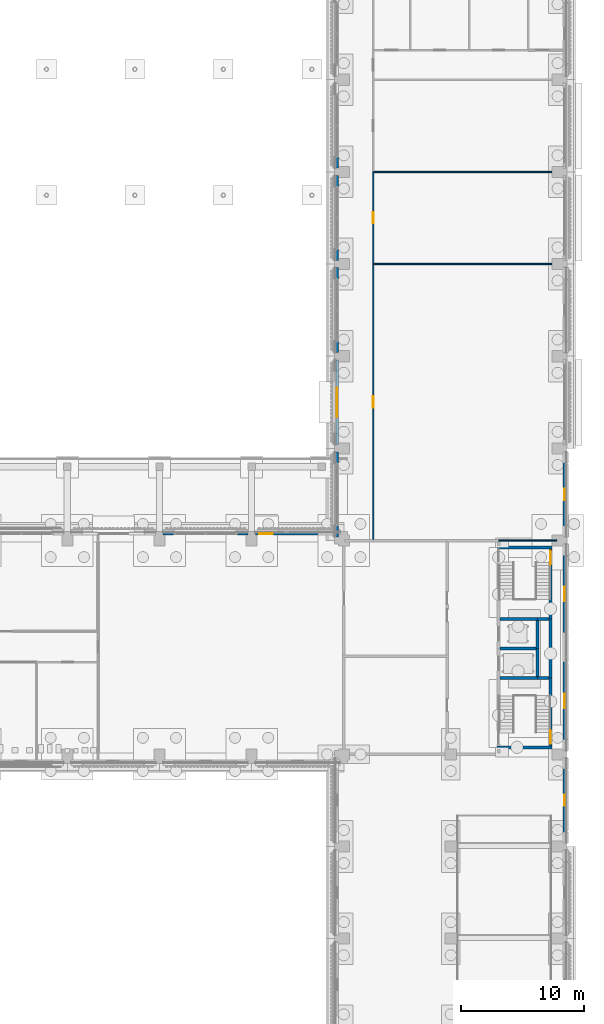
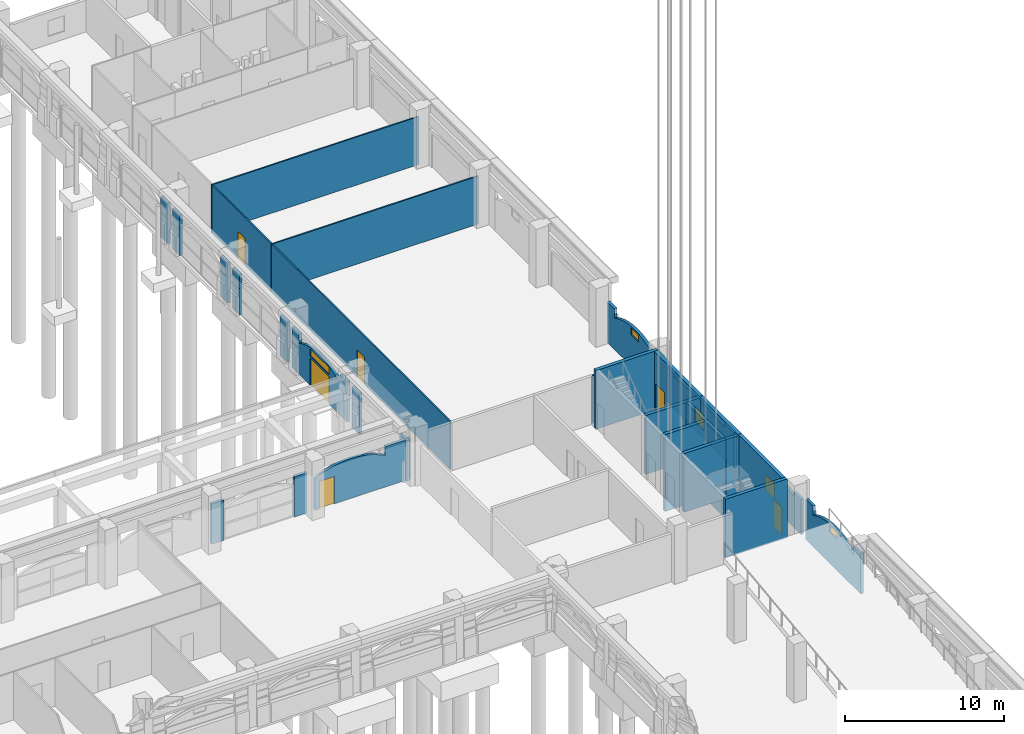
# One storey, part 43 of 99: 32 walls, 6 doors, 5 windows, 11 openings.
"""IFC4 building model written with IfcOpenShell, lengths in metres."""

from ifc_helpers import new_model, si_unit, direction, frame, frame_2d, origin, place, context, subcontext, project, spatial, polyline, rectangle, outline, extrude, material, layer, layer_set, type_object, element, fill, save


model = new_model("IFC4")

# Units and contexts
model_context = context("Model", 3, precision=1e-05, world=origin(), true_north=direction((0.0, 1.0)))
body_context = subcontext(model_context, "Body", "Model", "MODEL_VIEW")
ifc_project = project(units=[si_unit("LENGTHUNIT", "METRE"), si_unit("AREAUNIT", "SQUARE_METRE"), si_unit("VOLUMEUNIT", "CUBIC_METRE"), si_unit("PLANEANGLEUNIT", "RADIAN"), si_unit("MASSUNIT", "GRAM", prefix="KILO")], contexts=[model_context])

# Site, building, storey
site_placement = place(None, origin())
site = spatial("IfcSite", under=ifc_project, at=site_placement, CompositionType="ELEMENT")
building_placement = place(site_placement, origin())
building = spatial("IfcBuilding", under=site, at=building_placement, Name="Cour d'Honneur Mobility Palace", CompositionType="ELEMENT")
storey_placement = place(building_placement, origin())
storey = spatial("IfcBuildingStorey", under=building, at=storey_placement, Name="L00", CompositionType="ELEMENT", Elevation=0.0)

# Wall, opening, window
ifc_material_1 = material(Name="Concrete C40", Category="concrete")
ifc_layer_1 = layer(ifc_material_1, 0.199951171875)
ifc_layer_set_1 = layer_set([ifc_layer_1], Name="Concrete C40")
wall_type_1 = type_object("IfcWallType", Name="Arch infill panel", PredefinedType="SOLIDWALL", material=ifc_layer_set_1)
wall_1_placement = place(storey_placement, frame((162.85009765625, 37.800048828125, 0.0), z_axis=(0.0, 0.0, 1.0), x_axis=(0.0, 1.0, 0.0)))
wall_1 = element("IfcWall", 1, at=wall_1_placement, inside=storey, type_object=wall_type_1, Name="Arch infill panel IP-39", PredefinedType="SOLIDWALL", context=body_context, shape_type="SweptSolid", body=[
    extrude(outline(polyline([(0.0, 0.0), (6.89990234375, 0.0), (6.89990234375, 3.10009765625), (6.001953125, 3.10009765625), (6.0, 2.39990234375), (5.68115234375, 2.560302734375), (5.362548828125, 2.69482421875), (5.043701171875, 2.805908203125), (4.72509765625, 2.895263671875), (4.40625, 2.96337890625), (4.08740234375, 3.01171875), (3.768798828125, 3.04052734375), (3.449951171875, 3.050048828125), (3.13134765625, 3.04052734375), (2.8125, 3.01171875), (2.49365234375, 2.96337890625), (2.175048828125, 2.895263671875), (1.856201171875, 2.805908203125), (1.53759765625, 2.69482421875), (1.21875, 2.560302734375), (0.89990234375, 2.39990234375), (0.89794921875, 3.10009765625), (0.0, 3.10009765625), (0.0, 0.0)])), frame((0.0, 0.10009765625, 0.0), z_axis=(0.0, -1.0, 0.0), x_axis=(1.0, 0.0, 0.0)), (0.0, 0.0, 1.0), 0.199951171875),
])
opening_1_placement = place(wall_1_placement, frame((3.0, 0.0, 2.39990234375)))
opening_1 = element("IfcOpeningElement", 2, at=opening_1_placement, cuts=wall_1, Name="Opening WH-31", PredefinedType="OPENING", context=body_context, shape_type="SweptSolid", body=[
    extrude(rectangle(XDim=0.89990234375, YDim=0.531005859375, at=frame_2d((0.449951171875, 0.265625))), frame((0.0, 0.10986328125, 0.0), z_axis=(0.0, -1.0, 0.0), x_axis=(1.0, 0.0, 0.0)), (0.0, 0.0, 1.0), 0.219970703125),
])
ifc_material_2 = material(Name="Aluminium frame and glass", Category="aluminium")
window_type_1 = type_object("IfcWindowType", Name="High-level window 531", PartitioningType="SINGLE_PANEL", PredefinedType="WINDOW", material=ifc_material_2)
window_1_placement = place(opening_1_placement, origin())
window_1 = element("IfcWindow", 3, at=window_1_placement, inside=storey, type_object=window_type_1, Name="High-level window 531 WH-31", OverallHeight=0.531005859375, OverallWidth=0.89990234375, PartitioningType="SINGLE_PANEL", PredefinedType="WINDOW", context=body_context, shape_type="SweptSolid", body=[
    extrude(rectangle(XDim=0.89990234375, YDim=0.531005859375, at=frame_2d((0.449951171875, 0.265625))), frame((0.0, 0.030029296875, 0.0), z_axis=(0.0, -1.0, 0.0), x_axis=(1.0, 0.0, 0.0)), (0.0, 0.0, 1.0), 0.06005859375),
])
fill(opening_1, window_1)

wall_2_placement = place(storey_placement, frame((162.85009765625, 45.300048828125, 0.0), z_axis=(0.0, 0.0, 1.0), x_axis=(0.0, 1.0, 0.0)))
wall_2 = element("IfcWall", 4, at=wall_2_placement, inside=storey, type_object=wall_type_1, Name="Arch infill panel IP-40", PredefinedType="SOLIDWALL", context=body_context, shape_type="SweptSolid", body=[
    extrude(outline(polyline([(0.0, 0.0), (8.39990234375, 0.0), (8.39990234375, 2.699951171875), (7.201904296875, 2.699951171875), (7.199951171875, 2.39990234375), (6.80615234375, 2.458984375), (6.41259765625, 2.509765625), (6.018798828125, 2.552734375), (5.625, 2.587890625), (5.231201171875, 2.614990234375), (4.83740234375, 2.634521484375), (4.44384765625, 2.64599609375), (4.050048828125, 2.64990234375), (3.65625, 2.64599609375), (3.262451171875, 2.634521484375), (2.86865234375, 2.614990234375), (2.47509765625, 2.587890625), (2.081298828125, 2.552734375), (1.6875, 2.509765625), (1.293701171875, 2.458984375), (0.89990234375, 2.39990234375), (0.89794921875, 2.699951171875), (0.0, 2.699951171875), (0.0, 0.0)])), frame((0.0, 0.10009765625, 0.0), z_axis=(0.0, -1.0, 0.0), x_axis=(1.0, 0.0, 0.0)), (0.0, 0.0, 1.0), 0.199951171875),
])
opening_2_placement = place(wall_2_placement, frame((3.449951171875, 0.0, 0.60009765625)))
opening_2 = element("IfcOpeningElement", 5, at=opening_2_placement, cuts=wall_2, Name="Opening WP-2", PredefinedType="OPENING", context=body_context, shape_type="SweptSolid", body=[
    extrude(rectangle(XDim=1.199951171875, YDim=1.199951171875, at=frame_2d((0.60009765625, 0.60009765625))), frame((0.0, 0.10986328125, 0.0), z_axis=(0.0, -1.0, 0.0), x_axis=(1.0, 0.0, 0.0)), (0.0, 0.0, 1.0), 0.219970703125),
])
ifc_material_3 = material(Name="Aluminium frame and glass", Category="aluminium")
window_type_2 = type_object("IfcWindowType", Name="Pavilion window W-PV", PartitioningType="SINGLE_PANEL", PredefinedType="WINDOW", material=ifc_material_3)
window_2_placement = place(opening_2_placement, origin())
window_2 = element("IfcWindow", 6, at=window_2_placement, inside=storey, type_object=window_type_2, Name="Pavilion window W-PV WP-2", OverallHeight=1.199951171875, OverallWidth=1.199951171875, PartitioningType="SINGLE_PANEL", PredefinedType="WINDOW", context=body_context, shape_type="SweptSolid", body=[
    extrude(rectangle(XDim=1.199951171875, YDim=1.199951171875, at=frame_2d((0.60009765625, 0.60009765625))), frame((0.0, 0.030029296875, 0.0), z_axis=(0.0, -1.0, 0.0), x_axis=(1.0, 0.0, 0.0)), (0.0, 0.0, 1.0), 0.06005859375),
])
fill(opening_2, window_2)

wall_3_placement = place(storey_placement, frame((162.85009765625, 53.699951171875, 0.0), z_axis=(0.0, 0.0, 1.0), x_axis=(0.0, 1.0, 0.0)))
wall_3 = element("IfcWall", 7, at=wall_3_placement, inside=storey, type_object=wall_type_1, Name="Arch infill panel IP-41", PredefinedType="SOLIDWALL", context=body_context, shape_type="SweptSolid", body=[
    extrude(outline(polyline([(0.0, 0.0), (8.400146484375, 0.0), (8.39990234375, 2.699951171875), (7.501953125, 2.699951171875), (7.5, 2.39990234375), (7.106201171875, 2.458984375), (6.71240234375, 2.509765625), (6.31884765625, 2.552734375), (5.925048828125, 2.587890625), (5.53125, 2.614990234375), (5.137451171875, 2.634521484375), (4.74365234375, 2.64599609375), (4.35009765625, 2.64990234375), (3.956298828125, 2.64599609375), (3.5625, 2.634521484375), (3.168701171875, 2.614990234375), (2.77490234375, 2.587890625), (2.38134765625, 2.552734375), (1.987548828125, 2.509765625), (1.59375, 2.458984375), (1.199951171875, 2.39990234375), (1.197998046875, 2.699951171875), (0.0, 2.699951171875), (0.0, 0.0)])), frame((0.0, 0.10009765625, 0.0), z_axis=(0.0, -1.0, 0.0), x_axis=(1.0, 0.0, 0.0)), (0.0, 0.0, 1.0), 0.199951171875),
])
opening_3_placement = place(wall_3_placement, frame((3.75, 0.0, 0.60009765625)))
opening_3 = element("IfcOpeningElement", 8, at=opening_3_placement, cuts=wall_3, Name="Opening WP-3", PredefinedType="OPENING", context=body_context, shape_type="SweptSolid", body=[
    extrude(rectangle(XDim=1.199951171875, YDim=1.199951171875, at=frame_2d((0.60009765625, 0.60009765625))), frame((0.0, 0.10986328125, 0.0), z_axis=(0.0, -1.0, 0.0), x_axis=(1.0, 0.0, 0.0)), (0.0, 0.0, 1.0), 0.219970703125),
])
window_3_placement = place(opening_3_placement, origin())
window_3 = element("IfcWindow", 9, at=window_3_placement, inside=storey, type_object=window_type_2, Name="Pavilion window W-PV WP-3", OverallHeight=1.199951171875, OverallWidth=1.199951171875, PartitioningType="SINGLE_PANEL", PredefinedType="WINDOW", context=body_context, shape_type="SweptSolid", body=[
    extrude(rectangle(XDim=1.199951171875, YDim=1.199951171875, at=frame_2d((0.60009765625, 0.60009765625))), frame((0.0, 0.030029296875, 0.0), z_axis=(0.0, -1.0, 0.0), x_axis=(1.0, 0.0, 0.0)), (0.0, 0.0, 1.0), 0.06005859375),
])
fill(opening_3, window_3)

wall_4_placement = place(storey_placement, frame((162.85009765625, 62.699951171875, 0.0), z_axis=(0.0, 0.0, 1.0), x_axis=(0.0, 1.0, 0.0)))
wall_4 = element("IfcWall", 10, at=wall_4_placement, inside=storey, type_object=wall_type_1, Name="Arch infill panel IP-42", PredefinedType="SOLIDWALL", context=body_context, shape_type="SweptSolid", body=[
    extrude(outline(polyline([(0.0, 0.0), (6.900146484375, 0.0), (6.89990234375, 3.10009765625), (6.001953125, 3.10009765625), (6.0, 2.39990234375), (5.68115234375, 2.560302734375), (5.362548828125, 2.69482421875), (5.043701171875, 2.805908203125), (4.72509765625, 2.895263671875), (4.40625, 2.96337890625), (4.08740234375, 3.01171875), (3.768798828125, 3.04052734375), (3.449951171875, 3.050048828125), (3.13134765625, 3.04052734375), (2.8125, 3.01171875), (2.49365234375, 2.96337890625), (2.175048828125, 2.895263671875), (1.856201171875, 2.805908203125), (1.53759765625, 2.69482421875), (1.21875, 2.560302734375), (0.89990234375, 2.39990234375), (0.89794921875, 3.10009765625), (0.0, 3.10009765625), (0.0, 0.0)])), frame((0.0, 0.10009765625, 0.0), z_axis=(0.0, -1.0, 0.0), x_axis=(1.0, 0.0, 0.0)), (0.0, 0.0, 1.0), 0.199951171875),
])
opening_4_placement = place(wall_4_placement, frame((3.0, 0.0, 2.39990234375)))
opening_4 = element("IfcOpeningElement", 11, at=opening_4_placement, cuts=wall_4, Name="Opening WH-32", PredefinedType="OPENING", context=body_context, shape_type="SweptSolid", body=[
    extrude(rectangle(XDim=0.89990234375, YDim=0.531005859375, at=frame_2d((0.449951171875, 0.265625))), frame((0.0, 0.10986328125, 0.0), z_axis=(0.0, -1.0, 0.0), x_axis=(1.0, 0.0, 0.0)), (0.0, 0.0, 1.0), 0.219970703125),
])
window_4_placement = place(opening_4_placement, origin())
window_4 = element("IfcWindow", 12, at=window_4_placement, inside=storey, type_object=window_type_1, Name="High-level window 531 WH-32", OverallHeight=0.531005859375, OverallWidth=0.89990234375, PartitioningType="SINGLE_PANEL", PredefinedType="WINDOW", context=body_context, shape_type="SweptSolid", body=[
    extrude(rectangle(XDim=0.89990234375, YDim=0.531005859375, at=frame_2d((0.449951171875, 0.265625))), frame((0.0, 0.030029296875, 0.0), z_axis=(0.0, -1.0, 0.0), x_axis=(1.0, 0.0, 0.0)), (0.0, 0.0, 1.0), 0.06005859375),
])
fill(opening_4, window_4)

# Walls
for number, where, z_axis, x_axis, name in (
    (13, (144.35009765625, 93.60009765625, 0.0), (0.0, 0.0, 1.0), (0.0, -1.0, 0.0), "Arch infill panel IP-56"),
    (14, (144.35009765625, 92.10009765625, 0.0), (0.0, 0.0, 1.0), (0.0, -1.0, 0.0), "Arch infill panel IP-57"),
    (15, (144.35009765625, 86.10009765625, 0.0), (0.0, 0.0, 1.0), (0.0, -1.0, 0.0), "Arch infill panel IP-58"),
    (16, (144.35009765625, 84.60009765625, 0.0), (0.0, 0.0, 1.0), (0.0, -1.0, 0.0), "Arch infill panel IP-59"),
    (17, (144.35009765625, 78.60009765625, 0.0), (0.0, 0.0, 1.0), (0.0, -1.0, 0.0), "Arch infill panel IP-60"),
):
    element("IfcWall", number, at=place(storey_placement, frame(where, z_axis=z_axis, x_axis=x_axis)), inside=storey, type_object=wall_type_1, Name=name, PredefinedType="SOLIDWALL", context=body_context, shape_type="SweptSolid", body=[
        extrude(rectangle(XDim=0.900146484375, YDim=0.199951171875, at=frame_2d((0.4501953125, 0.0))), origin(), (0.0, 0.0, 1.0), 3.10009765625),
    ])

# Wall, openings, door, window
wall_5_placement = place(storey_placement, frame((144.35009765625, 77.10009765625, 0.0), z_axis=(0.0, 0.0, 1.0), x_axis=(0.0, -1.0, 0.0)))
wall_5 = element("IfcWall", 18, at=wall_5_placement, inside=storey, type_object=wall_type_1, Name="Arch infill panel IP-61", PredefinedType="SOLIDWALL", context=body_context, shape_type="SweptSolid", body=[
    extrude(outline(polyline([(0.0, 0.0), (6.900146484375, 0.0), (6.89990234375, 3.10009765625), (6.001953125, 3.10009765625), (6.0, 2.39990234375), (5.68115234375, 2.560302734375), (5.362548828125, 2.69482421875), (5.043701171875, 2.805908203125), (4.72509765625, 2.895263671875), (4.40625, 2.96337890625), (4.08740234375, 3.01171875), (3.768798828125, 3.04052734375), (3.449951171875, 3.050048828125), (3.13134765625, 3.04052734375), (2.8125, 3.01171875), (2.49365234375, 2.96337890625), (2.175048828125, 2.895263671875), (1.856201171875, 2.805908203125), (1.53759765625, 2.69482421875), (1.21875, 2.560302734375), (0.89990234375, 2.39990234375), (0.89794921875, 3.10009765625), (0.0, 3.10009765625), (0.0, 0.0)])), frame((0.0, 0.10009765625, 0.0), z_axis=(0.0, -1.0, 0.0), x_axis=(1.0, 0.0, 0.0)), (0.0, 0.0, 1.0), 0.199951171875),
])
opening_5_placement = place(wall_5_placement, frame((2.25, 0.0, 0.0)))
opening_5 = element("IfcOpeningElement", 19, at=opening_5_placement, cuts=wall_5, Name="Opening D1-1", PredefinedType="OPENING", context=body_context, shape_type="SweptSolid", body=[
    extrude(rectangle(XDim=2.39990234375, YDim=2.10009765625, at=frame_2d((1.199951171875, 1.050048828125))), frame((0.0, 0.10986328125, 0.0), z_axis=(0.0, -1.0, 0.0), x_axis=(1.0, 0.0, 0.0)), (0.0, 0.0, 1.0), 0.219970703125),
])
opening_6_placement = place(wall_5_placement, frame((2.25, 0.0, 2.25)))
opening_6 = element("IfcOpeningElement", 20, at=opening_6_placement, cuts=wall_5, Name="Opening WO-1", PredefinedType="OPENING", context=body_context, shape_type="SweptSolid", body=[
    extrude(rectangle(XDim=2.39990234375, YDim=0.56298828125, at=frame_2d((1.199951171875, 0.281494140625))), frame((0.0, 0.10986328125, 0.0), z_axis=(0.0, -1.0, 0.0), x_axis=(1.0, 0.0, 0.0)), (0.0, 0.0, 1.0), 0.219970703125),
])
ifc_material_4 = material(Name="Aluminium frame and glass", Category="aluminium")
door_type_1 = type_object("IfcDoorType", Name="Entrance double door 2400", OperationType="DOUBLE_DOOR_SINGLE_SWING", PredefinedType="DOOR", material=ifc_material_4)
door_1_placement = place(opening_5_placement, frame((2.39990234375, 0.0, 0.0), z_axis=(0.0, 0.0, 1.0), x_axis=(-1.0, 0.0, 0.0)))
door_1 = element("IfcDoor", 21, at=door_1_placement, inside=storey, type_object=door_type_1, Name="Entrance double door 2400 D1-1", OperationType="SINGLE_SWING_LEFT", OverallHeight=2.10009765625, OverallWidth=2.39990234375, PredefinedType="DOOR", context=body_context, shape_type="SweptSolid", body=[
    extrude(rectangle(XDim=2.39990234375, YDim=2.10009765625, at=frame_2d((1.199951171875, 1.050048828125))), frame((0.0, 0.02490234375, 0.0), z_axis=(0.0, -1.0, 0.0), x_axis=(1.0, 0.0, 0.0)), (0.0, 0.0, 1.0), 0.050048828125),
])
fill(opening_5, door_1)
ifc_material_5 = material(Name="Aluminium frame and glass", Category="aluminium")
window_type_3 = type_object("IfcWindowType", Name="Overlight", PartitioningType="SINGLE_PANEL", PredefinedType="WINDOW", material=ifc_material_5)
window_5_placement = place(opening_6_placement, origin())
window_5 = element("IfcWindow", 22, at=window_5_placement, inside=storey, type_object=window_type_3, Name="Overlight WO-1", OverallHeight=0.56298828125, OverallWidth=2.39990234375, PartitioningType="SINGLE_PANEL", PredefinedType="WINDOW", context=body_context, shape_type="SweptSolid", body=[
    extrude(rectangle(XDim=2.39990234375, YDim=0.56298828125, at=frame_2d((1.199951171875, 0.281494140625))), frame((0.0, 0.030029296875, 0.0), z_axis=(0.0, -1.0, 0.0), x_axis=(1.0, 0.0, 0.0)), (0.0, 0.0, 1.0), 0.06005859375),
])
fill(opening_6, window_5)

# Walls
for number, where, z_axis, x_axis, name in (
    (23, (144.35009765625, 69.60009765625, 0.0), (0.0, 0.0, 1.0), (0.0, -1.0, 0.0), "Arch infill panel IP-62"),
    (24, (144.35009765625, 63.60009765625, 0.0), (0.0, 0.0, 1.0), (0.0, -1.0, 0.0), "Arch infill panel IP-63"),
):
    element("IfcWall", number, at=place(storey_placement, frame(where, z_axis=z_axis, x_axis=x_axis)), inside=storey, type_object=wall_type_1, Name=name, PredefinedType="SOLIDWALL", context=body_context, shape_type="SweptSolid", body=[
        extrude(rectangle(XDim=0.900146484375, YDim=0.199951171875, at=frame_2d((0.4501953125, 0.0))), origin(), (0.0, 0.0, 1.0), 3.10009765625),
    ])

# Wall, opening, door
wall_6_placement = place(storey_placement, frame((144.60009765625, 62.949951171875, 0.0), z_axis=(0.0, 0.0, 1.0), x_axis=(-1.0, 0.0, 0.0)))
wall_6 = element("IfcWall", 25, at=wall_6_placement, inside=storey, type_object=wall_type_1, Name="Arch infill panel IP-64", PredefinedType="SOLIDWALL", context=body_context, shape_type="SweptSolid", body=[
    extrude(outline(polyline([(0.0, 0.0), (6.900146484375, 0.0), (6.89990234375, 2.39990234375), (6.581298828125, 2.560302734375), (6.262451171875, 2.69482421875), (5.94384765625, 2.805908203125), (5.625, 2.895263671875), (5.30615234375, 2.96337890625), (4.987548828125, 3.01171875), (4.668701171875, 3.04052734375), (4.35009765625, 3.050048828125), (4.03125, 3.04052734375), (3.71240234375, 3.01171875), (3.393798828125, 2.96337890625), (3.074951171875, 2.895263671875), (2.75634765625, 2.805908203125), (2.4375, 2.69482421875), (2.11865234375, 2.560302734375), (1.800048828125, 2.39990234375), (1.798095703125, 3.10009765625), (0.0, 3.10009765625), (0.0, 0.0)])), frame((0.0, 0.10009765625, 0.0), z_axis=(0.0, -1.0, 0.0), x_axis=(1.0, 0.0, 0.0)), (0.0, 0.0, 1.0), 0.199951171875),
])
opening_7_placement = place(wall_6_placement, frame((5.5, 0.0, 0.0)))
opening_7 = element("IfcOpeningElement", 26, at=opening_7_placement, cuts=wall_6, Name="Opening D3-6", PredefinedType="OPENING", context=body_context, shape_type="SweptSolid", body=[
    extrude(rectangle(XDim=1.10009765625, YDim=2.10009765625, at=frame_2d((0.550048828125, 1.050048828125))), frame((0.0, 0.10986328125, 0.0), z_axis=(0.0, -1.0, 0.0), x_axis=(1.0, 0.0, 0.0)), (0.0, 0.0, 1.0), 0.219970703125),
])
ifc_material_6 = material(Name="Painted steel", Category="steel")
door_type_2 = type_object("IfcDoorType", Name="Exit door 1100", OperationType="SINGLE_SWING_LEFT", PredefinedType="DOOR", material=ifc_material_6)
door_2_placement = place(opening_7_placement, frame((1.10009765625, 0.0, 0.0), z_axis=(0.0, 0.0, 1.0), x_axis=(-1.0, 0.0, 0.0)))
door_2 = element("IfcDoor", 27, at=door_2_placement, inside=storey, type_object=door_type_2, Name="Exit door 1100 D3-6", OperationType="SINGLE_SWING_LEFT", OverallHeight=2.10009765625, OverallWidth=1.10009765625, PredefinedType="DOOR", context=body_context, shape_type="SweptSolid", body=[
    extrude(rectangle(XDim=1.10009765625, YDim=2.10009765625, at=frame_2d((0.550048828125, 1.050048828125))), frame((0.0, 0.02490234375, 0.0), z_axis=(0.0, -1.0, 0.0), x_axis=(1.0, 0.0, 0.0)), (0.0, 0.0, 1.0), 0.050048828125),
])
fill(opening_7, door_2)

# Walls
for number, where, z_axis, x_axis, name in (
    (28, (137.10009765625, 62.949951171875, 0.0), (0.0, 0.0, 1.0), (-1.0, 0.0, 0.0), "Arch infill panel IP-65"),
    (29, (131.10009765625, 62.949951171875, 0.0), (0.0, 0.0, 1.0), (-1.0, 0.0, 0.0), "Arch infill panel IP-66"),
):
    element("IfcWall", number, at=place(storey_placement, frame(where, z_axis=z_axis, x_axis=x_axis)), inside=storey, type_object=wall_type_1, Name=name, PredefinedType="SOLIDWALL", context=body_context, shape_type="SweptSolid", body=[
        extrude(rectangle(XDim=0.900146484375, YDim=0.199951171875, at=frame_2d((0.4501953125, 0.0))), origin(), (0.0, 0.0, 1.0), 3.10009765625),
    ])
ifc_material_7 = material(Name="Concrete C50", Category="concrete")
ifc_layer_2 = layer(ifc_material_7, 0.25)
ifc_layer_set_2 = layer_set([ifc_layer_2], Name="Concrete C50")
wall_type_2 = type_object("IfcWallType", Name="Lift shaft wall 250", PredefinedType="SHEAR", material=ifc_layer_set_2)
wall_7_placement = place(storey_placement, frame((157.625, 53.60009765625, -1.39990234375), z_axis=(0.0, 0.0, 1.0), x_axis=(1.0, 0.0, 0.0)))
element("IfcWall", 30, at=wall_7_placement, inside=storey, type_object=wall_type_2, Name="Lift shaft wall WL-CE4 L00", PredefinedType="SHEAR", context=body_context, shape_type="SweptSolid", body=[
    extrude(rectangle(XDim=2.89990234375, YDim=0.25, at=frame_2d((1.449951171875, 0.0))), origin(), (0.0, 0.0, 1.0), 5.89990234375),
])
wall_8_placement = place(storey_placement, frame((160.64990234375, 51.324951171875, -1.39990234375), z_axis=(0.0, 0.0, 1.0), x_axis=(0.0, 1.0, 0.0)))
element("IfcWall", 31, at=wall_8_placement, inside=storey, type_object=wall_type_2, Name="Lift shaft wall WL-CE12 L00", PredefinedType="SHEAR", context=body_context, shape_type="SweptSolid", body=[
    extrude(rectangle(XDim=2.275146484375, YDim=0.25, at=frame_2d((1.1376953125, 0.0))), origin(), (0.0, 0.0, 1.0), 5.89990234375),
])
wall_9_placement = place(storey_placement, frame((160.64990234375, 53.60009765625, -1.39990234375), z_axis=(0.0, 0.0, 1.0), x_axis=(0.0, 1.0, 0.0)))
element("IfcWall", 32, at=wall_9_placement, inside=storey, type_object=wall_type_2, Name="Lift shaft wall WL-CE13 L00", PredefinedType="SHEAR", context=body_context, shape_type="SweptSolid", body=[
    extrude(rectangle(XDim=2.27490234375, YDim=0.25, at=frame_2d((1.137451171875, 0.0))), origin(), (0.0, 0.0, 1.0), 5.89990234375),
])
ifc_material_8 = material(Name="Gypsum plasterboard")
ifc_layer_3 = layer(ifc_material_8, 0.10009765625)
ifc_layer_set_3 = layer_set([ifc_layer_3], Name="Gypsum plasterboard")
wall_type_3 = type_object("IfcWallType", Name="Partition 100", PredefinedType="PARTITIONING", material=ifc_layer_set_3)
wall_10_placement = place(storey_placement, frame((157.5, 62.39990234375, 0.0), z_axis=(0.0, 0.0, 1.0), x_axis=(1.0, 0.0, 0.0)))
element("IfcWall", 33, at=wall_10_placement, inside=storey, type_object=wall_type_3, Name="Partition 099", PredefinedType="PARTITIONING", context=body_context, shape_type="SweptSolid", body=[
    extrude(rectangle(XDim=4.739990234375, YDim=0.10009765625, at=frame_2d((2.3701171875, 0.0))), origin(), (0.0, 0.0, 1.0), 3.679931640625),
])

# Wall, opening, door
wall_11_placement = place(storey_placement, frame((147.300048828125, 84.85009765625, 0.0), z_axis=(0.0, 0.0, 1.0), x_axis=(0.0, -1.0, 0.0)))
wall_11 = element("IfcWall", 34, at=wall_11_placement, inside=storey, type_object=wall_type_3, Name="Partition 102", PredefinedType="PARTITIONING", context=body_context, shape_type="SweptSolid", body=[
    extrude(rectangle(XDim=22.35009765625, YDim=0.10009765625, at=frame_2d((11.175048828125, 0.0))), origin(), (0.0, 0.0, 1.0), 3.679931640625),
])
opening_8_placement = place(wall_11_placement, frame((10.72509765625, 0.0, 0.0)))
opening_8 = element("IfcOpeningElement", 35, at=opening_8_placement, cuts=wall_11, Name="Opening D0040", PredefinedType="OPENING", context=body_context, shape_type="SweptSolid", body=[
    extrude(rectangle(XDim=0.89990234375, YDim=2.10009765625, at=frame_2d((0.449951171875, 1.050048828125))), frame((0.0, 0.06005859375, 0.0), z_axis=(0.0, -1.0, 0.0), x_axis=(1.0, 0.0, 0.0)), (0.0, 0.0, 1.0), 0.1201171875),
])
ifc_material_9 = material(Name="Solid timber", Category="wood")
door_type_3 = type_object("IfcDoorType", Name="Single door 900 x 2100", OperationType="SINGLE_SWING_LEFT", PredefinedType="DOOR", material=ifc_material_9)
door_3_placement = place(opening_8_placement, origin())
door_3 = element("IfcDoor", 36, at=door_3_placement, inside=storey, type_object=door_type_3, Name="Door EV Service Bay", OperationType="SINGLE_SWING_RIGHT", OverallHeight=2.10009765625, OverallWidth=0.89990234375, PredefinedType="DOOR", context=body_context, shape_type="SweptSolid", body=[
    extrude(rectangle(XDim=0.89990234375, YDim=2.10009765625, at=frame_2d((0.449951171875, 1.050048828125))), frame((0.0, 0.02490234375, 0.0), z_axis=(0.0, -1.0, 0.0), x_axis=(1.0, 0.0, 0.0)), (0.0, 0.0, 1.0), 0.050048828125),
])
fill(opening_8, door_3)

# Wall
wall_12_placement = place(storey_placement, frame((162.239990234375, 84.89990234375, 0.0), z_axis=(0.0, 0.0, 1.0), x_axis=(-1.0, 0.0, 0.0)))
element("IfcWall", 37, at=wall_12_placement, inside=storey, type_object=wall_type_3, Name="Partition 103", PredefinedType="PARTITIONING", context=body_context, shape_type="SweptSolid", body=[
    extrude(rectangle(XDim=14.989990234375, YDim=0.10009765625, at=frame_2d((7.4951171875, 0.0))), origin(), (0.0, 0.0, 1.0), 3.679931640625),
])

# Wall, opening, door
wall_13_placement = place(storey_placement, frame((147.300048828125, 92.35009765625, 0.0), z_axis=(0.0, 0.0, 1.0), x_axis=(0.0, -1.0, 0.0)))
wall_13 = element("IfcWall", 38, at=wall_13_placement, inside=storey, type_object=wall_type_3, Name="Partition 106", PredefinedType="PARTITIONING", context=body_context, shape_type="SweptSolid", body=[
    extrude(rectangle(XDim=7.400146484375, YDim=0.10009765625, at=frame_2d((3.7001953125, 0.0))), origin(), (0.0, 0.0, 1.0), 3.679931640625),
])
opening_9_placement = place(wall_13_placement, frame((3.25, 0.0, 0.0)))
opening_9 = element("IfcOpeningElement", 39, at=opening_9_placement, cuts=wall_13, Name="Opening D0041", PredefinedType="OPENING", context=body_context, shape_type="SweptSolid", body=[
    extrude(rectangle(XDim=0.89990234375, YDim=2.10009765625, at=frame_2d((0.449951171875, 1.050048828125))), frame((0.0, 0.06005859375, 0.0), z_axis=(0.0, -1.0, 0.0), x_axis=(1.0, 0.0, 0.0)), (0.0, 0.0, 1.0), 0.1201171875),
])
door_4_placement = place(opening_9_placement, origin())
door_4 = element("IfcDoor", 40, at=door_4_placement, inside=storey, type_object=door_type_3, Name="Door Tyre Workshop", OperationType="SINGLE_SWING_LEFT", OverallHeight=2.10009765625, OverallWidth=0.89990234375, PredefinedType="DOOR", context=body_context, shape_type="SweptSolid", body=[
    extrude(rectangle(XDim=0.89990234375, YDim=2.10009765625, at=frame_2d((0.449951171875, 1.050048828125))), frame((0.0, 0.02490234375, 0.0), z_axis=(0.0, -1.0, 0.0), x_axis=(1.0, 0.0, 0.0)), (0.0, 0.0, 1.0), 0.050048828125),
])
fill(opening_9, door_4)

# Walls
wall_14_placement = place(storey_placement, frame((162.239990234375, 92.39990234375, 0.0), z_axis=(0.0, 0.0, 1.0), x_axis=(-1.0, 0.0, 0.0)))
element("IfcWall", 41, at=wall_14_placement, inside=storey, type_object=wall_type_3, Name="Partition 107", PredefinedType="PARTITIONING", context=body_context, shape_type="SweptSolid", body=[
    extrude(rectangle(XDim=14.989990234375, YDim=0.10009765625, at=frame_2d((7.4951171875, 0.0))), origin(), (0.0, 0.0, 1.0), 3.679931640625),
])
ifc_material_10 = material(Name="Concrete C50", Category="concrete")
ifc_layer_4 = layer(ifc_material_10, 0.25)
ifc_layer_set_4 = layer_set([ifc_layer_4], Name="Concrete C50")
wall_type_4 = type_object("IfcWallType", Name="Shaft wall 250", PredefinedType="SHEAR", material=ifc_layer_set_4)
wall_15_placement = place(storey_placement, frame((161.72509765625, 51.199951171875, 0.0), z_axis=(0.0, 0.0, 1.0), x_axis=(0.0, 1.0, 0.0)))
element("IfcWall", 42, at=wall_15_placement, inside=storey, type_object=wall_type_4, Name="Shaft wall WR-CE15 L00", PredefinedType="SHEAR", context=body_context, shape_type="SweptSolid", body=[
    extrude(rectangle(XDim=4.800048828125, YDim=0.25, at=frame_2d((2.39990234375, 0.0))), origin(), (0.0, 0.0, 1.0), 4.5),
])
ifc_material_11 = material(Name="Concrete C50", Category="concrete")
ifc_layer_5 = layer(ifc_material_11, 0.25)
ifc_layer_set_5 = layer_set([ifc_layer_5], Name="Concrete C50")
wall_type_5 = type_object("IfcWallType", Name="Stair wall 250", PredefinedType="SHEAR", material=ifc_layer_set_5)
wall_16_placement = place(storey_placement, frame((157.375, 45.574951171875, 0.0), z_axis=(0.0, 0.0, 1.0), x_axis=(1.0, 0.0, 0.0)))
element("IfcWall", 43, at=wall_16_placement, inside=storey, type_object=wall_type_5, Name="Stair wall WS-CE1 L00", PredefinedType="SHEAR", context=body_context, shape_type="SweptSolid", body=[
    extrude(rectangle(XDim=4.47509765625, YDim=0.25, at=frame_2d((2.237548828125, 0.0))), origin(), (0.0, 0.0, 1.0), 4.5),
])
wall_17_placement = place(storey_placement, frame((157.625, 51.199951171875, 0.0), z_axis=(0.0, 0.0, 1.0), x_axis=(1.0, 0.0, 0.0)))
element("IfcWall", 44, at=wall_17_placement, inside=storey, type_object=wall_type_5, Name="Stair wall WS-CE2 L00", PredefinedType="SHEAR", context=body_context, shape_type="SweptSolid", body=[
    extrude(rectangle(XDim=3.02490234375, YDim=0.25, at=frame_2d((1.512451171875, 0.0))), origin(), (0.0, 0.0, 1.0), 4.5),
])
wall_18_placement = place(storey_placement, frame((160.64990234375, 51.199951171875, 0.0), z_axis=(0.0, 0.0, 1.0), x_axis=(1.0, 0.0, 0.0)))
element("IfcWall", 45, at=wall_18_placement, inside=storey, type_object=wall_type_5, Name="Stair wall WS-CE3 L00", PredefinedType="SHEAR", context=body_context, shape_type="SweptSolid", body=[
    extrude(rectangle(XDim=0.9501953125, YDim=0.25, at=frame_2d((0.47509765625, 0.0))), origin(), (0.0, 0.0, 1.0), 4.5),
])
wall_19_placement = place(storey_placement, frame((157.625, 56.0, 0.0), z_axis=(0.0, 0.0, 1.0), x_axis=(1.0, 0.0, 0.0)))
element("IfcWall", 46, at=wall_19_placement, inside=storey, type_object=wall_type_5, Name="Stair wall WS-CE5 L00", PredefinedType="SHEAR", context=body_context, shape_type="SweptSolid", body=[
    extrude(rectangle(XDim=3.02490234375, YDim=0.25, at=frame_2d((1.512451171875, 0.0))), origin(), (0.0, 0.0, 1.0), 4.5),
])
wall_20_placement = place(storey_placement, frame((160.64990234375, 56.0, 0.0), z_axis=(0.0, 0.0, 1.0), x_axis=(1.0, 0.0, 0.0)))
element("IfcWall", 47, at=wall_20_placement, inside=storey, type_object=wall_type_5, Name="Stair wall WS-CE6 L00", PredefinedType="SHEAR", context=body_context, shape_type="SweptSolid", body=[
    extrude(rectangle(XDim=0.9501953125, YDim=0.25, at=frame_2d((0.47509765625, 0.0))), origin(), (0.0, 0.0, 1.0), 4.5),
])
wall_21_placement = place(storey_placement, frame((157.375, 61.824951171875, 0.0), z_axis=(0.0, 0.0, 1.0), x_axis=(1.0, 0.0, 0.0)))
element("IfcWall", 48, at=wall_21_placement, inside=storey, type_object=wall_type_5, Name="Stair wall WS-CE7 L00", PredefinedType="SHEAR", context=body_context, shape_type="SweptSolid", body=[
    extrude(rectangle(XDim=4.47509765625, YDim=0.25, at=frame_2d((2.237548828125, 0.0))), origin(), (0.0, 0.0, 1.0), 4.5),
])

# Wall, opening, door
wall_22_placement = place(storey_placement, frame((161.72509765625, 45.699951171875, 0.0), z_axis=(0.0, 0.0, 1.0), x_axis=(0.0, 1.0, 0.0)))
wall_22 = element("IfcWall", 49, at=wall_22_placement, inside=storey, type_object=wall_type_5, Name="Stair wall WS-CE14 L00", PredefinedType="SHEAR", context=body_context, shape_type="SweptSolid", body=[
    extrude(rectangle(XDim=5.5, YDim=0.25, at=frame_2d((2.75, 0.0))), origin(), (0.0, 0.0, 1.0), 4.5),
])
opening_10_placement = place(wall_22_placement, frame((0.14990234375, 0.0, 0.0)))
opening_10 = element("IfcOpeningElement", 50, at=opening_10_placement, cuts=wall_22, Name="Opening D3-9", PredefinedType="OPENING", context=body_context, shape_type="SweptSolid", body=[
    extrude(rectangle(XDim=1.10009765625, YDim=2.10009765625, at=frame_2d((0.550048828125, 1.050048828125))), frame((0.0, 0.135009765625, 0.0), z_axis=(0.0, -1.0, 0.0), x_axis=(1.0, 0.0, 0.0)), (0.0, 0.0, 1.0), 0.27001953125),
])
door_5_placement = place(opening_10_placement, frame((1.10009765625, 0.0, 0.0), z_axis=(0.0, 0.0, 1.0), x_axis=(-1.0, 0.0, 0.0)))
door_5 = element("IfcDoor", 51, at=door_5_placement, inside=storey, type_object=door_type_2, Name="Exit door 1100 D3-9", OperationType="SINGLE_SWING_LEFT", OverallHeight=2.10009765625, OverallWidth=1.10009765625, PredefinedType="DOOR", context=body_context, shape_type="SweptSolid", body=[
    extrude(rectangle(XDim=1.10009765625, YDim=2.10009765625, at=frame_2d((0.550048828125, 1.050048828125))), frame((0.0, 0.02490234375, 0.0), z_axis=(0.0, -1.0, 0.0), x_axis=(1.0, 0.0, 0.0)), (0.0, 0.0, 1.0), 0.050048828125),
])
fill(opening_10, door_5)

wall_23_placement = place(storey_placement, frame((161.72509765625, 56.0, 0.0), z_axis=(0.0, 0.0, 1.0), x_axis=(0.0, 1.0, 0.0)))
wall_23 = element("IfcWall", 52, at=wall_23_placement, inside=storey, type_object=wall_type_5, Name="Stair wall WS-CE16 L00", PredefinedType="SHEAR", context=body_context, shape_type="SweptSolid", body=[
    extrude(rectangle(XDim=5.699951171875, YDim=0.25, at=frame_2d((2.85009765625, 0.0))), origin(), (0.0, 0.0, 1.0), 4.5),
])
opening_11_placement = place(wall_23_placement, frame((4.449951171875, 0.0, 0.0)))
opening_11 = element("IfcOpeningElement", 53, at=opening_11_placement, cuts=wall_23, Name="Opening D3-10", PredefinedType="OPENING", context=body_context, shape_type="SweptSolid", body=[
    extrude(rectangle(XDim=1.10009765625, YDim=2.10009765625, at=frame_2d((0.550048828125, 1.050048828125))), frame((0.0, 0.135009765625, 0.0), z_axis=(0.0, -1.0, 0.0), x_axis=(1.0, 0.0, 0.0)), (0.0, 0.0, 1.0), 0.27001953125),
])
door_6_placement = place(opening_11_placement, frame((1.10009765625, 0.0, 0.0), z_axis=(0.0, 0.0, 1.0), x_axis=(-1.0, 0.0, 0.0)))
door_6 = element("IfcDoor", 54, at=door_6_placement, inside=storey, type_object=door_type_2, Name="Exit door 1100 D3-10", OperationType="SINGLE_SWING_LEFT", OverallHeight=2.10009765625, OverallWidth=1.10009765625, PredefinedType="DOOR", context=body_context, shape_type="SweptSolid", body=[
    extrude(rectangle(XDim=1.10009765625, YDim=2.10009765625, at=frame_2d((0.550048828125, 1.050048828125))), frame((0.0, 0.02490234375, 0.0), z_axis=(0.0, -1.0, 0.0), x_axis=(1.0, 0.0, 0.0)), (0.0, 0.0, 1.0), 0.050048828125),
])
fill(opening_11, door_6)

save(model, "model.ifc")
